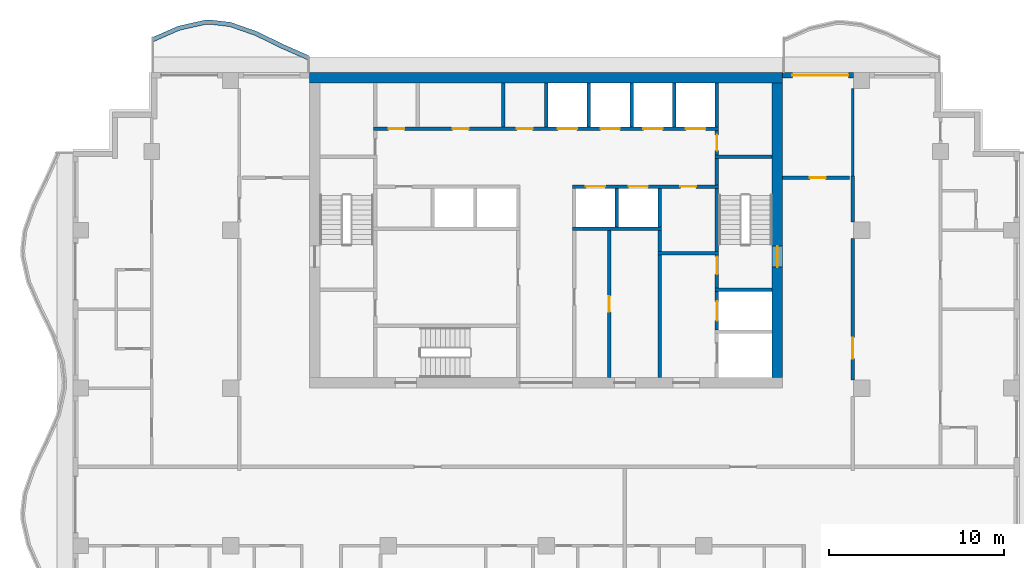
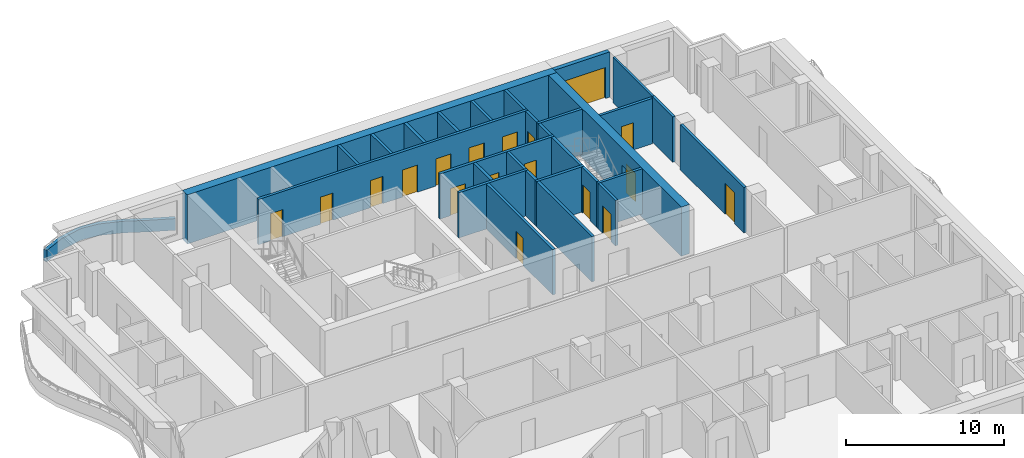
# One storey, part 6 of 11: 30 walls, 18 doors, 18 openings.
"""IFC4 building model written with IfcOpenShell, lengths in metres."""

from ifc_helpers import new_model, si_unit, direction, frame, frame_2d, origin, place, context, subcontext, project, spatial, polyline, rectangle, outline, extrude, material, layer, layer_set, type_object, element, fill, save


model = new_model("IFC4")

# Units and contexts
model_context = context("Model", 3, precision=1e-05, world=origin(), true_north=direction((0.0, 1.0)))
body_context = subcontext(model_context, "Body", "Model", "MODEL_VIEW")
ifc_project = project(units=[si_unit("LENGTHUNIT", "METRE"), si_unit("AREAUNIT", "SQUARE_METRE"), si_unit("VOLUMEUNIT", "CUBIC_METRE"), si_unit("PLANEANGLEUNIT", "RADIAN"), si_unit("MASSUNIT", "GRAM", prefix="KILO")], contexts=[model_context])

# Site, building, storey
site_placement = place(None, origin())
site = spatial("IfcSite", under=ifc_project, at=site_placement, CompositionType="ELEMENT")
building_placement = place(site_placement, origin())
building = spatial("IfcBuilding", under=site, at=building_placement, Name="Orbiselva Terraces", CompositionType="ELEMENT")
storey_placement = place(building_placement, frame((0.0, 0.0, 269.2)))
storey = spatial("IfcBuildingStorey", under=building, at=storey_placement, Name="L68", CompositionType="ELEMENT", Elevation=269.2)

# Wall, opening, door
ifc_material_1 = material(Name="Concrete C80/95", Category="concrete")
ifc_layer_1 = layer(ifc_material_1, 0.6)
ifc_layer_set_1 = layer_set([ifc_layer_1], Name="Concrete C80/95")
wall_type_1 = type_object("IfcWallType", Name="CORE WALL 600", PredefinedType="SHEAR", material=ifc_layer_set_1)
wall_1_placement = place(storey_placement, frame((13.2, 5.1, -0.3), z_axis=(0.0, 0.0, 1.0), x_axis=(0.0, 1.0, 0.0)))
wall_1 = element("IfcWall", 1, at=wall_1_placement, inside=storey, type_object=wall_type_1, Name="Core wall L68 east", PredefinedType="SHEAR", context=body_context, shape_type="SweptSolid", body=[
    extrude(rectangle(XDim=16.8, YDim=0.6, at=frame_2d((8.4, 0.0))), origin(), (0.0, 0.0, 1.0), 3.8),
])
opening_1_placement = place(wall_1_placement, frame((6.3, 0.0, 0.3)))
opening_1 = element("IfcOpeningElement", 2, at=opening_1_placement, cuts=wall_1, Name="Opening DS1200", PredefinedType="OPENING", context=body_context, shape_type="SweptSolid", body=[
    extrude(rectangle(XDim=1.2, YDim=2.2, at=frame_2d((0.6, 1.1))), frame((0.0, 0.31, 0.0), z_axis=(0.0, -1.0, 0.0), x_axis=(1.0, 0.0, 0.0)), (0.0, 0.0, 1.0), 0.62),
])
ifc_material_2 = material(Name="Steel fire door", Category="steel")
door_type_1 = type_object("IfcDoorType", Name="STAIR DOOR 1200", OperationType="NOTDEFINED", PredefinedType="DOOR", material=ifc_material_2)
door_1_placement = place(opening_1_placement, frame((1.2, 0.0, 0.0), z_axis=(0.0, 0.0, 1.0), x_axis=(-1.0, 0.0, 0.0)))
door_1 = element("IfcDoor", 3, at=door_1_placement, inside=storey, type_object=door_type_1, Name="L68 EXIT STAIR S2 door", OperationType="SINGLE_SWING_LEFT", OverallHeight=2.2, OverallWidth=1.2, PredefinedType="DOOR", context=body_context, shape_type="SweptSolid", body=[
    extrude(rectangle(XDim=1.2, YDim=2.2, at=frame_2d((0.6, 1.1))), frame((0.0, 0.025, 0.0), z_axis=(0.0, -1.0, 0.0), x_axis=(1.0, 0.0, 0.0)), (0.0, 0.0, 1.0), 0.05),
])
fill(opening_1, door_1)

# Walls
ifc_layer_2 = layer(ifc_material_1, 0.6)
ifc_layer_set_2 = layer_set([ifc_layer_2], Name="Concrete C80/95")
wall_type_2 = type_object("IfcWallType", Name="CORE WALL 600 EXTERNAL", PredefinedType="SHEAR", material=ifc_layer_set_2)
wall_2_placement = place(storey_placement, frame((13.5, 22.2, -0.3), z_axis=(0.0, 0.0, 1.0), x_axis=(-1.0, 0.0, 0.0)))
element("IfcWall", 4, at=wall_2_placement, inside=storey, type_object=wall_type_2, Name="Core wall L68 north", PredefinedType="SHEAR", context=body_context, shape_type="SweptSolid", body=[
    extrude(rectangle(XDim=27.0, YDim=0.6, at=frame_2d((13.5, 0.0))), origin(), (0.0, 0.0, 1.0), 3.8),
])
ifc_material_3 = material(Name="Masonry blockwork", Category="masonry")
ifc_layer_3 = layer(ifc_material_3, 0.2)
ifc_layer_set_3 = layer_set([ifc_layer_3], Name="Masonry blockwork")
wall_type_3 = type_object("IfcWallType", Name="CORE-WALL-PARTITION-200", PredefinedType="PARTITIONING", material=ifc_layer_set_3)
wall_3_placement = place(storey_placement, frame((-2.4375, 19.4, 0.0), z_axis=(0.0, 0.0, 1.0), x_axis=(0.0, 1.0, 0.0)))
element("IfcWall", 5, at=wall_3_placement, inside=storey, type_object=wall_type_3, Name="L68 core wall 17", PredefinedType="PARTITIONING", context=body_context, shape_type="SweptSolid", body=[
    extrude(rectangle(XDim=2.5, YDim=0.2, at=frame_2d((1.25, 0.0))), origin(), (0.0, 0.0, 1.0), 3.5),
])

# Wall, opening, door
wall_4_placement = place(storey_placement, frame((3.6, 13.5, 0.0), z_axis=(0.0, 0.0, 1.0), x_axis=(0.0, -1.0, 0.0)))
wall_4 = element("IfcWall", 6, at=wall_4_placement, inside=storey, type_object=wall_type_3, Name="L68 core wall 27", PredefinedType="PARTITIONING", context=body_context, shape_type="SweptSolid", body=[
    extrude(rectangle(XDim=8.4, YDim=0.2, at=frame_2d((4.2, 0.0))), origin(), (0.0, 0.0, 1.0), 3.5),
])
opening_2_placement = place(wall_4_placement, frame((3.75, 0.0, 0.0)))
opening_2 = element("IfcOpeningElement", 7, at=opening_2_placement, cuts=wall_4, Name="Opening DR900", PredefinedType="OPENING", context=body_context, shape_type="SweptSolid", body=[
    extrude(rectangle(XDim=0.9, YDim=2.1, at=frame_2d((0.45, 1.05))), frame((0.0, 0.11, 0.0), z_axis=(0.0, -1.0, 0.0), x_axis=(1.0, 0.0, 0.0)), (0.0, 0.0, 1.0), 0.22),
])
door_type_2 = type_object("IfcDoorType", Name="ROOM DOOR 900", OperationType="NOTDEFINED", PredefinedType="DOOR", material=ifc_material_2)
door_2_placement = place(opening_2_placement, origin())
door_2 = element("IfcDoor", 8, at=door_2_placement, inside=storey, type_object=door_type_2, Name="L68 SERVICE ROOM door", OperationType="SINGLE_SWING_RIGHT", OverallHeight=2.1, OverallWidth=0.9, PredefinedType="DOOR", context=body_context, shape_type="SweptSolid", body=[
    extrude(rectangle(XDim=0.9, YDim=2.1, at=frame_2d((0.45, 1.05))), frame((0.0, 0.025, 0.0), z_axis=(0.0, -1.0, 0.0), x_axis=(1.0, 0.0, 0.0)), (0.0, 0.0, 1.0), 0.05),
])
fill(opening_2, door_2)

# Wall
wall_5_placement = place(storey_placement, frame((6.475, 12.3, 0.0), z_axis=(0.0, 0.0, 1.0), x_axis=(0.0, 1.0, 0.0)))
element("IfcWall", 9, at=wall_5_placement, inside=storey, type_object=wall_type_3, Name="L68 core wall 32", PredefinedType="PARTITIONING", context=body_context, shape_type="SweptSolid", body=[
    extrude(rectangle(XDim=1.2, YDim=0.2, at=frame_2d((0.6, 0.0))), origin(), (0.0, 0.0, 1.0), 3.5),
])

# Wall, opening, door
wall_6_placement = place(storey_placement, frame((9.75, 19.2, 0.0), z_axis=(0.0, 0.0, 1.0), x_axis=(0.0, -1.0, 0.0)))
wall_6 = element("IfcWall", 10, at=wall_6_placement, inside=storey, type_object=wall_type_3, Name="L68 core wall 43", PredefinedType="PARTITIONING", context=body_context, shape_type="SweptSolid", body=[
    extrude(rectangle(XDim=1.4, YDim=0.2, at=frame_2d((0.7, 0.0))), origin(), (0.0, 0.0, 1.0), 3.5),
])
opening_3_placement = place(wall_6_placement, frame((0.25, 0.0, 0.0)))
opening_3 = element("IfcOpeningElement", 11, at=opening_3_placement, cuts=wall_6, Name="Opening DR900", PredefinedType="OPENING", context=body_context, shape_type="SweptSolid", body=[
    extrude(rectangle(XDim=0.9, YDim=2.1, at=frame_2d((0.45, 1.05))), frame((0.0, 0.11, 0.0), z_axis=(0.0, -1.0, 0.0), x_axis=(1.0, 0.0, 0.0)), (0.0, 0.0, 1.0), 0.22),
])
door_3_placement = place(opening_3_placement, origin())
door_3 = element("IfcDoor", 12, at=door_3_placement, inside=storey, type_object=door_type_2, Name="L68 COMMS RISER ROOM door", OperationType="SINGLE_SWING_RIGHT", OverallHeight=2.1, OverallWidth=0.9, PredefinedType="DOOR", context=body_context, shape_type="SweptSolid", body=[
    extrude(rectangle(XDim=0.9, YDim=2.1, at=frame_2d((0.45, 1.05))), frame((0.0, 0.025, 0.0), z_axis=(0.0, -1.0, 0.0), x_axis=(1.0, 0.0, 0.0)), (0.0, 0.0, 1.0), 0.05),
])
fill(opening_3, door_3)

# Walls
ifc_material_4 = material(Name="Concrete C40/50", Category="concrete")
ifc_layer_4 = layer(ifc_material_4, 0.2)
ifc_layer_set_4 = layer_set([ifc_layer_4], Name="Concrete C40/50")
wall_type_4 = type_object("IfcWallType", Name="CORE-WALL-SHAFT-200", PredefinedType="PARTITIONING", material=ifc_layer_set_4)
for number, where, z_axis, x_axis, name in (
    (13, (0.0, 19.4, 0.0), (0.0, 0.0, 1.0), (0.0, 1.0, 0.0), "L68 core wall 21"),
    (14, (2.4375, 19.4, 0.0), (0.0, 0.0, 1.0), (0.0, 1.0, 0.0), "L68 core wall 26"),
):
    element("IfcWall", number, at=place(storey_placement, frame(where, z_axis=z_axis, x_axis=x_axis)), inside=storey, type_object=wall_type_4, Name=name, PredefinedType="PARTITIONING", context=body_context, shape_type="SweptSolid", body=[
        extrude(rectangle(XDim=2.5, YDim=0.2, at=frame_2d((1.25, 0.0))), origin(), (0.0, 0.0, 1.0), 3.5),
    ])
wall_7_placement = place(storey_placement, frame((4.0375, 13.7, 0.0), z_axis=(0.0, 0.0, 1.0), x_axis=(0.0, 1.0, 0.0)))
element("IfcWall", 15, at=wall_7_placement, inside=storey, type_object=wall_type_4, Name="L68 core wall 28", PredefinedType="PARTITIONING", context=body_context, shape_type="SweptSolid", body=[
    extrude(rectangle(XDim=2.2, YDim=0.2, at=frame_2d((1.1, 0.0))), origin(), (0.0, 0.0, 1.0), 3.5),
])
wall_8_placement = place(storey_placement, frame((4.875, 19.4, 0.0), z_axis=(0.0, 0.0, 1.0), x_axis=(0.0, 1.0, 0.0)))
element("IfcWall", 16, at=wall_8_placement, inside=storey, type_object=wall_type_4, Name="L68 core wall 29", PredefinedType="PARTITIONING", context=body_context, shape_type="SweptSolid", body=[
    extrude(rectangle(XDim=2.5, YDim=0.2, at=frame_2d((1.25, 0.0))), origin(), (0.0, 0.0, 1.0), 3.5),
])
wall_9_placement = place(storey_placement, frame((6.475, 13.7, 0.0), z_axis=(0.0, 0.0, 1.0), x_axis=(0.0, 1.0, 0.0)))
element("IfcWall", 17, at=wall_9_placement, inside=storey, type_object=wall_type_4, Name="L68 core wall 33", PredefinedType="PARTITIONING", context=body_context, shape_type="SweptSolid", body=[
    extrude(rectangle(XDim=2.2, YDim=0.2, at=frame_2d((1.1, 0.0))), origin(), (0.0, 0.0, 1.0), 3.5),
])
for number, where, z_axis, x_axis, name in (
    (18, (7.3125, 19.4, 0.0), (0.0, 0.0, 1.0), (0.0, 1.0, 0.0), "L68 core wall 34"),
    (19, (9.75, 19.4, 0.0), (0.0, 0.0, 1.0), (0.0, 1.0, 0.0), "L68 core wall 44"),
):
    element("IfcWall", number, at=place(storey_placement, frame(where, z_axis=z_axis, x_axis=x_axis)), inside=storey, type_object=wall_type_4, Name=name, PredefinedType="PARTITIONING", context=body_context, shape_type="SweptSolid", body=[
        extrude(rectangle(XDim=2.5, YDim=0.2, at=frame_2d((1.25, 0.0))), origin(), (0.0, 0.0, 1.0), 3.5),
    ])

# Wall, openings, doors
ifc_material_5 = material(Name="Concrete C60/75", Category="concrete")
ifc_layer_5 = layer(ifc_material_5, 0.2)
ifc_layer_set_5 = layer_set([ifc_layer_5], Name="Concrete C60/75")
wall_type_5 = type_object("IfcWallType", Name="CORE-WALL-SHEAR-200", PredefinedType="SHEAR", material=ifc_layer_set_5)
wall_10_placement = place(storey_placement, frame((-9.85, 19.3, 0.0), z_axis=(0.0, 0.0, 1.0), x_axis=(1.0, 0.0, 0.0)))
wall_10 = element("IfcWall", 20, at=wall_10_placement, inside=storey, type_object=wall_type_5, Name="L68 core wall 12", PredefinedType="SHEAR", context=body_context, shape_type="SweptSolid", body=[
    extrude(rectangle(XDim=19.7, YDim=0.2, at=frame_2d((9.85, 0.0))), origin(), (0.0, 0.0, 1.0), 3.5),
])
opening_4_placement = place(wall_10_placement, frame((10.51875, 0.0, 0.0)))
opening_4 = element("IfcOpeningElement", 21, at=opening_4_placement, cuts=wall_10, Name="Opening LD-HR1", PredefinedType="OPENING", context=body_context, shape_type="SweptSolid", body=[
    extrude(rectangle(XDim=1.1, YDim=2.1, at=frame_2d((0.55, 1.05))), frame((0.0, 0.11, 0.0), z_axis=(0.0, -1.0, 0.0), x_axis=(1.0, 0.0, 0.0)), (0.0, 0.0, 1.0), 0.22),
])
opening_5_placement = place(wall_10_placement, frame((12.95625, 0.0, 0.0)))
opening_5 = element("IfcOpeningElement", 22, at=opening_5_placement, cuts=wall_10, Name="Opening LD-HR2", PredefinedType="OPENING", context=body_context, shape_type="SweptSolid", body=[
    extrude(rectangle(XDim=1.1, YDim=2.1, at=frame_2d((0.55, 1.05))), frame((0.0, 0.11, 0.0), z_axis=(0.0, -1.0, 0.0), x_axis=(1.0, 0.0, 0.0)), (0.0, 0.0, 1.0), 0.22),
])
opening_6_placement = place(wall_10_placement, frame((15.39375, 0.0, 0.0)))
opening_6 = element("IfcOpeningElement", 23, at=opening_6_placement, cuts=wall_10, Name="Opening LD-HR3", PredefinedType="OPENING", context=body_context, shape_type="SweptSolid", body=[
    extrude(rectangle(XDim=1.1, YDim=2.1, at=frame_2d((0.55, 1.05))), frame((0.0, 0.11, 0.0), z_axis=(0.0, -1.0, 0.0), x_axis=(1.0, 0.0, 0.0)), (0.0, 0.0, 1.0), 0.22),
])
opening_7_placement = place(wall_10_placement, frame((17.83125, 0.0, 0.0)))
opening_7 = element("IfcOpeningElement", 24, at=opening_7_placement, cuts=wall_10, Name="Opening LD-HR4", PredefinedType="OPENING", context=body_context, shape_type="SweptSolid", body=[
    extrude(rectangle(XDim=1.1, YDim=2.1, at=frame_2d((0.55, 1.05))), frame((0.0, 0.11, 0.0), z_axis=(0.0, -1.0, 0.0), x_axis=(1.0, 0.0, 0.0)), (0.0, 0.0, 1.0), 0.22),
])
opening_8_placement = place(wall_10_placement, frame((0.8688, 0.0, 0.0)))
opening_8 = element("IfcOpeningElement", 25, at=opening_8_placement, cuts=wall_10, Name="Opening DR900", PredefinedType="OPENING", context=body_context, shape_type="SweptSolid", body=[
    extrude(rectangle(XDim=0.9, YDim=2.1, at=frame_2d((0.45, 1.05))), frame((0.0, 0.11, 0.0), z_axis=(0.0, -1.0, 0.0), x_axis=(1.0, 0.0, 0.0)), (0.0, 0.0, 1.0), 0.22),
])
opening_9_placement = place(wall_10_placement, frame((4.525, 0.0, 0.0)))
opening_9 = element("IfcOpeningElement", 26, at=opening_9_placement, cuts=wall_10, Name="Opening DR900", PredefinedType="OPENING", context=body_context, shape_type="SweptSolid", body=[
    extrude(rectangle(XDim=0.9, YDim=2.1, at=frame_2d((0.45, 1.05))), frame((0.0, 0.11, 0.0), z_axis=(0.0, -1.0, 0.0), x_axis=(1.0, 0.0, 0.0)), (0.0, 0.0, 1.0), 0.22),
])
opening_10_placement = place(wall_10_placement, frame((8.1812, 0.0, 0.0)))
opening_10 = element("IfcOpeningElement", 27, at=opening_10_placement, cuts=wall_10, Name="Opening DR900", PredefinedType="OPENING", context=body_context, shape_type="SweptSolid", body=[
    extrude(rectangle(XDim=0.9, YDim=2.1, at=frame_2d((0.45, 1.05))), frame((0.0, 0.11, 0.0), z_axis=(0.0, -1.0, 0.0), x_axis=(1.0, 0.0, 0.0)), (0.0, 0.0, 1.0), 0.22),
])
ifc_material_6 = material(Name="Stainless steel landing door", Category="steel")
door_type_3 = type_object("IfcDoorType", Name="LANDING DOOR 1100", OperationType="SLIDING_TO_LEFT", PredefinedType="DOOR", material=ifc_material_6)
door_4_placement = place(opening_4_placement, origin())
door_4 = element("IfcDoor", 28, at=door_4_placement, inside=storey, type_object=door_type_3, Name="L68 landing door HR1", OperationType="SLIDING_TO_RIGHT", OverallHeight=2.1, OverallWidth=1.1, PredefinedType="DOOR", context=body_context, shape_type="SweptSolid", body=[
    extrude(rectangle(XDim=1.1, YDim=2.1, at=frame_2d((0.55, 1.05))), frame((0.0, 0.025, 0.0), z_axis=(0.0, -1.0, 0.0), x_axis=(1.0, 0.0, 0.0)), (0.0, 0.0, 1.0), 0.05),
])
fill(opening_4, door_4)
door_5_placement = place(opening_5_placement, origin())
door_5 = element("IfcDoor", 29, at=door_5_placement, inside=storey, type_object=door_type_3, Name="L68 landing door HR2", OperationType="SLIDING_TO_RIGHT", OverallHeight=2.1, OverallWidth=1.1, PredefinedType="DOOR", context=body_context, shape_type="SweptSolid", body=[
    extrude(rectangle(XDim=1.1, YDim=2.1, at=frame_2d((0.55, 1.05))), frame((0.0, 0.025, 0.0), z_axis=(0.0, -1.0, 0.0), x_axis=(1.0, 0.0, 0.0)), (0.0, 0.0, 1.0), 0.05),
])
fill(opening_5, door_5)
door_6_placement = place(opening_6_placement, origin())
door_6 = element("IfcDoor", 30, at=door_6_placement, inside=storey, type_object=door_type_3, Name="L68 landing door HR3", OperationType="SLIDING_TO_RIGHT", OverallHeight=2.1, OverallWidth=1.1, PredefinedType="DOOR", context=body_context, shape_type="SweptSolid", body=[
    extrude(rectangle(XDim=1.1, YDim=2.1, at=frame_2d((0.55, 1.05))), frame((0.0, 0.025, 0.0), z_axis=(0.0, -1.0, 0.0), x_axis=(1.0, 0.0, 0.0)), (0.0, 0.0, 1.0), 0.05),
])
fill(opening_6, door_6)
door_7_placement = place(opening_7_placement, origin())
door_7 = element("IfcDoor", 31, at=door_7_placement, inside=storey, type_object=door_type_3, Name="L68 landing door HR4", OperationType="SLIDING_TO_RIGHT", OverallHeight=2.1, OverallWidth=1.1, PredefinedType="DOOR", context=body_context, shape_type="SweptSolid", body=[
    extrude(rectangle(XDim=1.1, YDim=2.1, at=frame_2d((0.55, 1.05))), frame((0.0, 0.025, 0.0), z_axis=(0.0, -1.0, 0.0), x_axis=(1.0, 0.0, 0.0)), (0.0, 0.0, 1.0), 0.05),
])
fill(opening_7, door_7)
door_8_placement = place(opening_8_placement, origin())
door_8 = element("IfcDoor", 32, at=door_8_placement, inside=storey, type_object=door_type_2, Name="L68 STORE door", OperationType="SINGLE_SWING_LEFT", OverallHeight=2.1, OverallWidth=0.9, PredefinedType="DOOR", context=body_context, shape_type="SweptSolid", body=[
    extrude(rectangle(XDim=0.9, YDim=2.1, at=frame_2d((0.45, 1.05))), frame((0.0, 0.025, 0.0), z_axis=(0.0, -1.0, 0.0), x_axis=(1.0, 0.0, 0.0)), (0.0, 0.0, 1.0), 0.05),
])
fill(opening_8, door_8)
door_9_placement = place(opening_9_placement, origin())
door_9 = element("IfcDoor", 33, at=door_9_placement, inside=storey, type_object=door_type_2, Name="L68 IT ROOM door", OperationType="SINGLE_SWING_LEFT", OverallHeight=2.1, OverallWidth=0.9, PredefinedType="DOOR", context=body_context, shape_type="SweptSolid", body=[
    extrude(rectangle(XDim=0.9, YDim=2.1, at=frame_2d((0.45, 1.05))), frame((0.0, 0.025, 0.0), z_axis=(0.0, -1.0, 0.0), x_axis=(1.0, 0.0, 0.0)), (0.0, 0.0, 1.0), 0.05),
])
fill(opening_9, door_9)
door_10_placement = place(opening_10_placement, origin())
door_10 = element("IfcDoor", 34, at=door_10_placement, inside=storey, type_object=door_type_2, Name="L68 CLEANERS STORE door", OperationType="SINGLE_SWING_LEFT", OverallHeight=2.1, OverallWidth=0.9, PredefinedType="DOOR", context=body_context, shape_type="SweptSolid", body=[
    extrude(rectangle(XDim=0.9, YDim=2.1, at=frame_2d((0.45, 1.05))), frame((0.0, 0.025, 0.0), z_axis=(0.0, -1.0, 0.0), x_axis=(1.0, 0.0, 0.0)), (0.0, 0.0, 1.0), 0.05),
])
fill(opening_10, door_10)

# Wall
wall_11_placement = place(storey_placement, frame((1.5, 13.6, 0.0), z_axis=(0.0, 0.0, 1.0), x_axis=(1.0, 0.0, 0.0)))
element("IfcWall", 35, at=wall_11_placement, inside=storey, type_object=wall_type_5, Name="L68 core wall 23", PredefinedType="SHEAR", context=body_context, shape_type="SweptSolid", body=[
    extrude(rectangle(XDim=5.075, YDim=0.2, at=frame_2d((2.5375, 0.0))), origin(), (0.0, 0.0, 1.0), 3.5),
])

# Wall, openings, doors
wall_12_placement = place(storey_placement, frame((9.85, 16.0, 0.0), z_axis=(0.0, 0.0, 1.0), x_axis=(-1.0, 0.0, 0.0)))
wall_12 = element("IfcWall", 36, at=wall_12_placement, inside=storey, type_object=wall_type_5, Name="L68 core wall 25", PredefinedType="SHEAR", context=body_context, shape_type="SweptSolid", body=[
    extrude(rectangle(XDim=8.35, YDim=0.2, at=frame_2d((4.175, 0.0))), origin(), (0.0, 0.0, 1.0), 3.5),
])
opening_11_placement = place(wall_12_placement, frame((6.48125, 0.0, 0.0)))
opening_11 = element("IfcOpeningElement", 37, at=opening_11_placement, cuts=wall_12, Name="Opening LD-HR5", PredefinedType="OPENING", context=body_context, shape_type="SweptSolid", body=[
    extrude(rectangle(XDim=1.1, YDim=2.1, at=frame_2d((0.55, 1.05))), frame((0.0, 0.11, 0.0), z_axis=(0.0, -1.0, 0.0), x_axis=(1.0, 0.0, 0.0)), (0.0, 0.0, 1.0), 0.22),
])
opening_12_placement = place(wall_12_placement, frame((4.04375, 0.0, 0.0)))
opening_12 = element("IfcOpeningElement", 38, at=opening_12_placement, cuts=wall_12, Name="Opening LD-HR6", PredefinedType="OPENING", context=body_context, shape_type="SweptSolid", body=[
    extrude(rectangle(XDim=1.1, YDim=2.1, at=frame_2d((0.55, 1.05))), frame((0.0, 0.11, 0.0), z_axis=(0.0, -1.0, 0.0), x_axis=(1.0, 0.0, 0.0)), (0.0, 0.0, 1.0), 0.22),
])
opening_13_placement = place(wall_12_placement, frame((1.2875, 0.0, 0.0)))
opening_13 = element("IfcOpeningElement", 39, at=opening_13_placement, cuts=wall_12, Name="Opening DR900", PredefinedType="OPENING", context=body_context, shape_type="SweptSolid", body=[
    extrude(rectangle(XDim=0.9, YDim=2.1, at=frame_2d((0.45, 1.05))), frame((0.0, 0.11, 0.0), z_axis=(0.0, -1.0, 0.0), x_axis=(1.0, 0.0, 0.0)), (0.0, 0.0, 1.0), 0.22),
])
door_11_placement = place(opening_11_placement, origin())
door_11 = element("IfcDoor", 40, at=door_11_placement, inside=storey, type_object=door_type_3, Name="L68 landing door HR5", OperationType="SLIDING_TO_RIGHT", OverallHeight=2.1, OverallWidth=1.1, PredefinedType="DOOR", context=body_context, shape_type="SweptSolid", body=[
    extrude(rectangle(XDim=1.1, YDim=2.1, at=frame_2d((0.55, 1.05))), frame((0.0, 0.025, 0.0), z_axis=(0.0, -1.0, 0.0), x_axis=(1.0, 0.0, 0.0)), (0.0, 0.0, 1.0), 0.05),
])
fill(opening_11, door_11)
door_12_placement = place(opening_12_placement, origin())
door_12 = element("IfcDoor", 41, at=door_12_placement, inside=storey, type_object=door_type_3, Name="L68 landing door HR6", OperationType="SLIDING_TO_RIGHT", OverallHeight=2.1, OverallWidth=1.1, PredefinedType="DOOR", context=body_context, shape_type="SweptSolid", body=[
    extrude(rectangle(XDim=1.1, YDim=2.1, at=frame_2d((0.55, 1.05))), frame((0.0, 0.025, 0.0), z_axis=(0.0, -1.0, 0.0), x_axis=(1.0, 0.0, 0.0)), (0.0, 0.0, 1.0), 0.05),
])
fill(opening_12, door_12)
door_13_placement = place(opening_13_placement, origin())
door_13 = element("IfcDoor", 42, at=door_13_placement, inside=storey, type_object=door_type_2, Name="L68 PIPE RISER ROOM door", OperationType="SINGLE_SWING_LEFT", OverallHeight=2.1, OverallWidth=0.9, PredefinedType="DOOR", context=body_context, shape_type="SweptSolid", body=[
    extrude(rectangle(XDim=0.9, YDim=2.1, at=frame_2d((0.45, 1.05))), frame((0.0, 0.025, 0.0), z_axis=(0.0, -1.0, 0.0), x_axis=(1.0, 0.0, 0.0)), (0.0, 0.0, 1.0), 0.05),
])
fill(opening_13, door_13)

# Walls
wall_13_placement = place(storey_placement, frame((6.475, 5.1, 0.0), z_axis=(0.0, 0.0, 1.0), x_axis=(0.0, 1.0, 0.0)))
element("IfcWall", 43, at=wall_13_placement, inside=storey, type_object=wall_type_5, Name="L68 core wall 30", PredefinedType="SHEAR", context=body_context, shape_type="SweptSolid", body=[
    extrude(rectangle(XDim=7.0, YDim=0.2, at=frame_2d((3.5, 0.0))), origin(), (0.0, 0.0, 1.0), 3.5),
])
wall_14_placement = place(storey_placement, frame((6.375, 12.2, 0.0), z_axis=(0.0, 0.0, 1.0), x_axis=(1.0, 0.0, 0.0)))
element("IfcWall", 44, at=wall_14_placement, inside=storey, type_object=wall_type_5, Name="L68 core wall 31", PredefinedType="SHEAR", context=body_context, shape_type="SweptSolid", body=[
    extrude(rectangle(XDim=3.475, YDim=0.2, at=frame_2d((1.7375, 0.0))), origin(), (0.0, 0.0, 1.0), 3.5),
])

# Wall, opening, door
wall_15_placement = place(storey_placement, frame((9.75, 7.8, 0.0), z_axis=(0.0, 0.0, 1.0), x_axis=(0.0, 1.0, 0.0)))
wall_15 = element("IfcWall", 45, at=wall_15_placement, inside=storey, type_object=wall_type_5, Name="L68 core wall 37", PredefinedType="SHEAR", context=body_context, shape_type="SweptSolid", body=[
    extrude(rectangle(XDim=2.2, YDim=0.2, at=frame_2d((1.1, 0.0))), origin(), (0.0, 0.0, 1.0), 3.5),
])
opening_14_placement = place(wall_15_placement, frame((0.55, 0.0, 0.0)))
opening_14 = element("IfcOpeningElement", 46, at=opening_14_placement, cuts=wall_15, Name="Opening LD-FF2", PredefinedType="OPENING", context=body_context, shape_type="SweptSolid", body=[
    extrude(rectangle(XDim=1.1, YDim=2.1, at=frame_2d((0.55, 1.05))), frame((0.0, 0.11, 0.0), z_axis=(0.0, -1.0, 0.0), x_axis=(1.0, 0.0, 0.0)), (0.0, 0.0, 1.0), 0.22),
])
door_14_placement = place(opening_14_placement, origin())
door_14 = element("IfcDoor", 47, at=door_14_placement, inside=storey, type_object=door_type_3, Name="L68 landing door FF2", OperationType="SLIDING_TO_RIGHT", OverallHeight=2.1, OverallWidth=1.1, PredefinedType="DOOR", context=body_context, shape_type="SweptSolid", body=[
    extrude(rectangle(XDim=1.1, YDim=2.1, at=frame_2d((0.55, 1.05))), frame((0.0, 0.025, 0.0), z_axis=(0.0, -1.0, 0.0), x_axis=(1.0, 0.0, 0.0)), (0.0, 0.0, 1.0), 0.05),
])
fill(opening_14, door_14)

# Wall
wall_16_placement = place(storey_placement, frame((9.65, 10.1, 0.0), z_axis=(0.0, 0.0, 1.0), x_axis=(1.0, 0.0, 0.0)))
element("IfcWall", 48, at=wall_16_placement, inside=storey, type_object=wall_type_5, Name="L68 core wall 38", PredefinedType="SHEAR", context=body_context, shape_type="SweptSolid", body=[
    extrude(rectangle(XDim=3.25, YDim=0.2, at=frame_2d((1.625, 0.0))), origin(), (0.0, 0.0, 1.0), 3.5),
])

# Wall, opening, door
wall_17_placement = place(storey_placement, frame((9.75, 12.1, 0.0), z_axis=(0.0, 0.0, 1.0), x_axis=(0.0, -1.0, 0.0)))
wall_17 = element("IfcWall", 49, at=wall_17_placement, inside=storey, type_object=wall_type_5, Name="L68 core wall 39", PredefinedType="SHEAR", context=body_context, shape_type="SweptSolid", body=[
    extrude(rectangle(XDim=1.9, YDim=0.2, at=frame_2d((0.95, 0.0))), origin(), (0.0, 0.0, 1.0), 3.5),
])
opening_15_placement = place(wall_17_placement, frame((0.1, 0.0, 0.0)))
opening_15 = element("IfcOpeningElement", 50, at=opening_15_placement, cuts=wall_17, Name="Opening DS1000", PredefinedType="OPENING", context=body_context, shape_type="SweptSolid", body=[
    extrude(rectangle(XDim=1.0, YDim=2.2, at=frame_2d((0.5, 1.1))), frame((0.0, 0.11, 0.0), z_axis=(0.0, -1.0, 0.0), x_axis=(1.0, 0.0, 0.0)), (0.0, 0.0, 1.0), 0.22),
])
door_type_4 = type_object("IfcDoorType", Name="STAIR DOOR 1000", OperationType="NOTDEFINED", PredefinedType="DOOR", material=ifc_material_2)
door_15_placement = place(opening_15_placement, origin())
door_15 = element("IfcDoor", 51, at=door_15_placement, inside=storey, type_object=door_type_4, Name="L68 FIRE-FIGHTING LOBBY TO EXIT STAIR S2 door", OperationType="SINGLE_SWING_LEFT", OverallHeight=2.2, OverallWidth=1.0, PredefinedType="DOOR", context=body_context, shape_type="SweptSolid", body=[
    extrude(rectangle(XDim=1.0, YDim=2.2, at=frame_2d((0.5, 1.1))), frame((0.0, 0.025, 0.0), z_axis=(0.0, -1.0, 0.0), x_axis=(1.0, 0.0, 0.0)), (0.0, 0.0, 1.0), 0.05),
])
fill(opening_15, door_15)

# Walls
wall_18_placement = place(storey_placement, frame((9.75, 12.3, 0.0), z_axis=(0.0, 0.0, 1.0), x_axis=(0.0, 1.0, 0.0)))
element("IfcWall", 52, at=wall_18_placement, inside=storey, type_object=wall_type_5, Name="L68 core wall 40", PredefinedType="SHEAR", context=body_context, shape_type="SweptSolid", body=[
    extrude(rectangle(XDim=3.6, YDim=0.2, at=frame_2d((1.8, 0.0))), origin(), (0.0, 0.0, 1.0), 3.5),
])
wall_19_placement = place(storey_placement, frame((9.75, 16.1, 0.0), z_axis=(0.0, 0.0, 1.0), x_axis=(0.0, 1.0, 0.0)))
element("IfcWall", 53, at=wall_19_placement, inside=storey, type_object=wall_type_5, Name="L68 core wall 41", PredefinedType="SHEAR", context=body_context, shape_type="SweptSolid", body=[
    extrude(rectangle(XDim=1.5, YDim=0.2, at=frame_2d((0.75, 0.0))), origin(), (0.0, 0.0, 1.0), 3.5),
])
wall_20_placement = place(storey_placement, frame((9.65, 17.7, 0.0), z_axis=(0.0, 0.0, 1.0), x_axis=(1.0, 0.0, 0.0)))
element("IfcWall", 54, at=wall_20_placement, inside=storey, type_object=wall_type_5, Name="L68 core wall 42", PredefinedType="SHEAR", context=body_context, shape_type="SweptSolid", body=[
    extrude(rectangle(XDim=3.25, YDim=0.2, at=frame_2d((1.625, 0.0))), origin(), (0.0, 0.0, 1.0), 3.5),
])
ifc_layer_6 = layer(ifc_material_4, 0.25)
ifc_layer_set_6 = layer_set([ifc_layer_6], Name="Concrete C40/50")
wall_type_6 = type_object("IfcWallType", Name="ENV-PLANTER-250x900", PredefinedType="USERDEFINED", material=ifc_layer_set_6)
wall_21_placement = place(storey_placement, origin())
element("IfcWall", 55, at=wall_21_placement, inside=storey, type_object=wall_type_6, Name="Balcony planter L68 NW", ObjectType="PLANTER", PredefinedType="USERDEFINED", context=body_context, shape_type="SweptSolid", body=[
    extrude(outline(polyline([(-13.5, 23.451472), (-15.0, 24.112279), (-16.5, 24.844789), (-18.0, 25.369208), (-19.125, 25.5), (-19.5, 25.485226), (-21.0, 25.148528), (-22.5, 24.487721), (-22.399212, 24.258938), (-20.921492, 24.90993), (-19.467435, 25.236315), (-19.134572, 25.249429), (-18.056371, 25.124078), (-16.59644, 24.613667), (-15.105286, 23.885477), (-13.600788, 23.222689), (-13.5, 23.451472)])), origin(), (0.0, 0.0, 1.0), 0.9),
])

# Wall, opening, door
ifc_material_7 = material(Name="Terracotta cladding on masonry backing", Category="masonry")
ifc_layer_7 = layer(ifc_material_7, 0.3)
ifc_layer_set_7 = layer_set([ifc_layer_7], Name="Terracotta cladding on masonry backing")
wall_type_7 = type_object("IfcWallType", Name="ENV-WALL-TERRACOTTA-300", PredefinedType="SOLIDWALL", material=ifc_layer_set_7)
wall_22_placement = place(storey_placement, frame((13.5, 22.35, 0.0), z_axis=(0.0, 0.0, 1.0), x_axis=(1.0, 0.0, 0.0)))
wall_22 = element("IfcWall", 56, at=wall_22_placement, inside=storey, type_object=wall_type_7, Name="Facade wall L68 NE", PredefinedType="SOLIDWALL", context=body_context, shape_type="SweptSolid", body=[
    extrude(rectangle(XDim=4.05, YDim=0.3, at=frame_2d((2.025, 0.0))), origin(), (0.0, 0.0, 1.0), 3.5),
])
opening_16_placement = place(wall_22_placement, frame((0.55, 0.0, 0.0)))
opening_16 = element("IfcOpeningElement", 57, at=opening_16_placement, cuts=wall_22, Name="Opening Z5-C-E08", PredefinedType="OPENING", context=body_context, shape_type="SweptSolid", body=[
    extrude(rectangle(XDim=3.2, YDim=2.4, at=frame_2d((1.6, 1.2))), frame((0.0, 0.16, 0.0), z_axis=(0.0, -1.0, 0.0), x_axis=(1.0, 0.0, 0.0)), (0.0, 0.0, 1.0), 0.32),
])
ifc_material_8 = material(Name="Clear low-e glazing in aluminium frame", Category="aluminium")
door_type_5 = type_object("IfcDoorType", Name="BALCONY DOOR 3200 X 2400", OperationType="DOUBLE_DOOR_SLIDING", PredefinedType="DOOR", material=ifc_material_8)
door_16_placement = place(opening_16_placement, origin())
door_16 = element("IfcDoor", 58, at=door_16_placement, inside=storey, type_object=door_type_5, Name="Z5-C-E08", OperationType="SINGLE_SWING_LEFT", OverallHeight=2.4, OverallWidth=3.2, PredefinedType="DOOR", context=body_context, shape_type="SweptSolid", body=[
    extrude(rectangle(XDim=3.2, YDim=2.4, at=frame_2d((1.6, 1.2))), frame((0.0, 0.025, 0.0), z_axis=(0.0, -1.0, 0.0), x_axis=(1.0, 0.0, 0.0)), (0.0, 0.0, 1.0), 0.05),
])
fill(opening_16, door_16)

ifc_material_9 = material(Name="Plasterboard on steel stud partition", Category="steel")
ifc_layer_8 = layer(ifc_material_9, 0.2)
ifc_layer_set_8 = layer_set([ifc_layer_8], Name="Plasterboard on steel stud partition")
wall_type_8 = type_object("IfcWallType", Name="UNIT-ENTRANCE-WALL-200", PredefinedType="PARTITIONING", material=ifc_layer_set_8)
wall_23_placement = place(storey_placement, frame((13.5, 16.5, 0.0), z_axis=(0.0, 0.0, 1.0), x_axis=(1.0, 0.0, 0.0)))
wall_23 = element("IfcWall", 59, at=wall_23_placement, inside=storey, type_object=wall_type_8, Name="PARTITION L68-042", PredefinedType="PARTITIONING", context=body_context, shape_type="SweptSolid", body=[
    extrude(rectangle(XDim=3.825, YDim=0.2, at=frame_2d((1.9125, 0.0))), origin(), (0.0, 0.0, 1.0), 3.5),
])
opening_17_placement = place(wall_23_placement, frame((1.55, 0.0, 0.0)))
opening_17 = element("IfcOpeningElement", 60, at=opening_17_placement, cuts=wall_23, Name="Opening Z5-C-02", PredefinedType="OPENING", context=body_context, shape_type="SweptSolid", body=[
    extrude(rectangle(XDim=0.9, YDim=2.1, at=frame_2d((0.45, 1.05))), frame((0.0, 0.11, 0.0), z_axis=(0.0, -1.0, 0.0), x_axis=(1.0, 0.0, 0.0)), (0.0, 0.0, 1.0), 0.22),
])
ifc_material_10 = material(Name="Painted timber door leaf", Category="wood")
door_type_6 = type_object("IfcDoorType", Name="SERVICE DOOR 900", OperationType="NOTDEFINED", PredefinedType="DOOR", material=ifc_material_10)
door_17_placement = place(opening_17_placement, origin())
door_17 = element("IfcDoor", 61, at=door_17_placement, inside=storey, type_object=door_type_6, Name="Z5-C-02", OperationType="SINGLE_SWING_RIGHT", OverallHeight=2.1, OverallWidth=0.9, PredefinedType="DOOR", context=body_context, shape_type="SweptSolid", body=[
    extrude(rectangle(XDim=0.9, YDim=2.1, at=frame_2d((0.45, 1.05))), frame((0.0, 0.025, 0.0), z_axis=(0.0, -1.0, 0.0), x_axis=(1.0, 0.0, 0.0)), (0.0, 0.0, 1.0), 0.05),
])
fill(opening_17, door_17)

wall_24_placement = place(storey_placement, frame((17.5, 13.025, 0.0), z_axis=(0.0, 0.0, 1.0), x_axis=(0.0, -1.0, 0.0)))
wall_24 = element("IfcWall", 62, at=wall_24_placement, inside=storey, type_object=wall_type_8, Name="PARTITION L68-080", PredefinedType="PARTITIONING", context=body_context, shape_type="SweptSolid", body=[
    extrude(rectangle(XDim=8.05, YDim=0.2, at=frame_2d((4.025, 0.0))), origin(), (0.0, 0.0, 1.0), 3.5),
])
opening_18_placement = place(wall_24_placement, frame((5.65, 0.0, 0.0)))
opening_18 = element("IfcOpeningElement", 63, at=opening_18_placement, cuts=wall_24, Name="Opening Z5-C-09", PredefinedType="OPENING", context=body_context, shape_type="SweptSolid", body=[
    extrude(rectangle(XDim=1.2, YDim=2.4, at=frame_2d((0.6, 1.2))), frame((0.0, 0.11, 0.0), z_axis=(0.0, -1.0, 0.0), x_axis=(1.0, 0.0, 0.0)), (0.0, 0.0, 1.0), 0.22),
])
door_type_7 = type_object("IfcDoorType", Name="ENTRANCE DOOR 1200", OperationType="NOTDEFINED", PredefinedType="DOOR", material=ifc_material_10)
door_18_placement = place(opening_18_placement, origin())
door_18 = element("IfcDoor", 64, at=door_18_placement, inside=storey, type_object=door_type_7, Name="Z5-C-09", OperationType="SINGLE_SWING_RIGHT", OverallHeight=2.4, OverallWidth=1.2, PredefinedType="DOOR", context=body_context, shape_type="SweptSolid", body=[
    extrude(rectangle(XDim=1.2, YDim=2.4, at=frame_2d((0.6, 1.2))), frame((0.0, 0.025, 0.0), z_axis=(0.0, -1.0, 0.0), x_axis=(1.0, 0.0, 0.0)), (0.0, 0.0, 1.0), 0.05),
])
fill(opening_18, door_18)

# Walls
wall_25_placement = place(storey_placement, frame((17.5, 13.975, 0.0), z_axis=(0.0, 0.0, 1.0), x_axis=(0.0, 1.0, 0.0)))
element("IfcWall", 65, at=wall_25_placement, inside=storey, type_object=wall_type_8, Name="PARTITION L68-081", PredefinedType="PARTITIONING", context=body_context, shape_type="SweptSolid", body=[
    extrude(rectangle(XDim=2.625, YDim=0.2, at=frame_2d((1.3125, 0.0))), origin(), (0.0, 0.0, 1.0), 3.5),
])
ifc_layer_9 = layer(ifc_material_9, 0.15)
ifc_layer_set_9 = layer_set([ifc_layer_9], Name="Plasterboard on steel stud partition")
wall_type_9 = type_object("IfcWallType", Name="UNIT-PARTITION-150", PredefinedType="PARTITIONING", material=ifc_layer_set_9)
wall_26_placement = place(storey_placement, frame((17.5, 16.4, 0.0), z_axis=(0.0, 0.0, 1.0), x_axis=(0.0, 1.0, 0.0)))
element("IfcWall", 66, at=wall_26_placement, inside=storey, type_object=wall_type_9, Name="PARTITION L68-082", PredefinedType="PARTITIONING", context=body_context, shape_type="SweptSolid", body=[
    extrude(rectangle(XDim=5.2, YDim=0.15, at=frame_2d((2.6, 0.0))), origin(), (0.0, 0.0, 1.0), 3.5),
])

save(model, "model.ifc")
